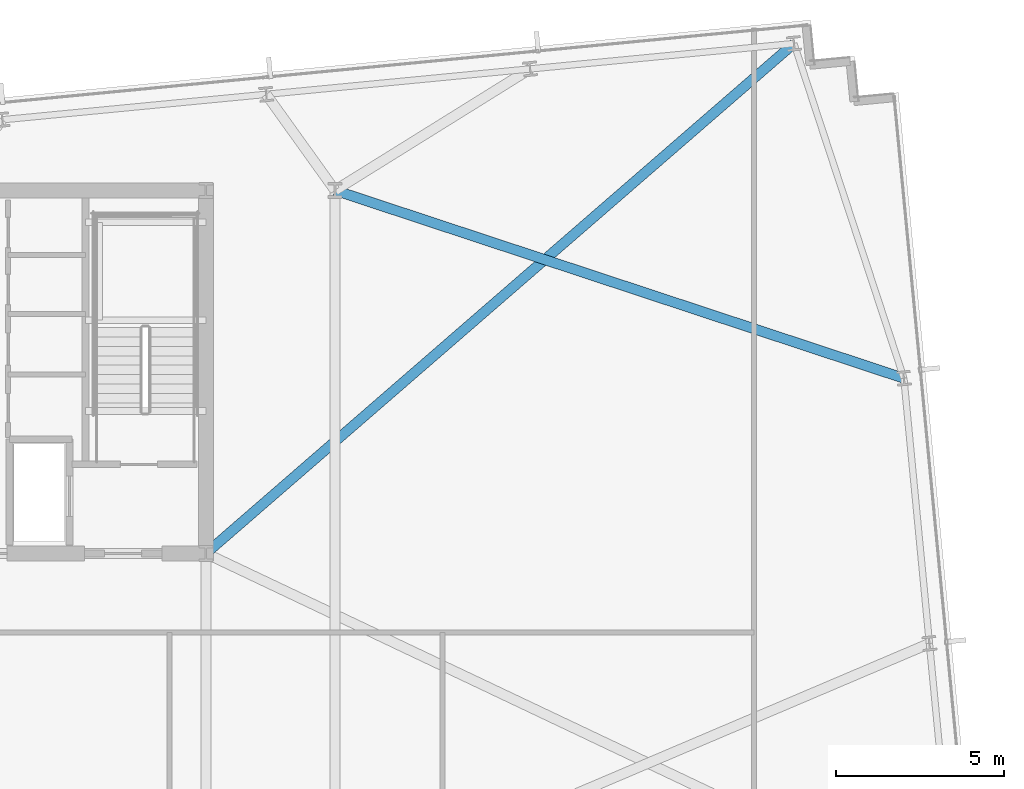
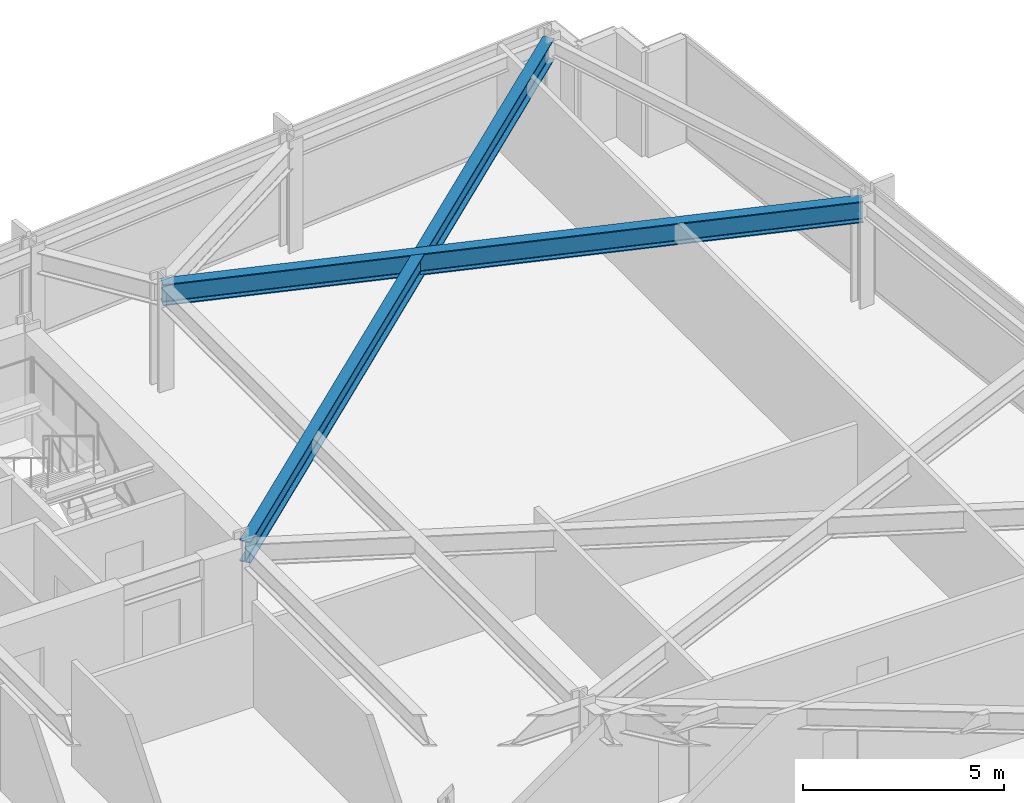
# One storey, part 22 of 32: 2 beams.
"""IFC4 building model written with IfcOpenShell, lengths in metres."""

from ifc_helpers import new_model, si_unit, direction, frame, origin, origin_2d, place, context, subcontext, project, spatial, i_section, extrude, material, material_profile, profile_set, type_object, element, save


model = new_model("IFC4")

# Units and contexts
model_context = context("Model", 3, precision=1e-05, world=origin(), true_north=direction((0.0, 1.0)))
body_context = subcontext(model_context, "Body", "Model", "MODEL_VIEW")
ifc_project = project(units=[si_unit("LENGTHUNIT", "METRE"), si_unit("AREAUNIT", "SQUARE_METRE"), si_unit("VOLUMEUNIT", "CUBIC_METRE"), si_unit("PLANEANGLEUNIT", "RADIAN"), si_unit("MASSUNIT", "GRAM", prefix="KILO")], contexts=[model_context])

# Site, building, storey
site_placement = place(None, origin())
site = spatial("IfcSite", under=ifc_project, at=site_placement, CompositionType="ELEMENT")
building_placement = place(site_placement, origin())
building = spatial("IfcBuilding", under=site, at=building_placement, Name="Yelkora Congress Tower", CompositionType="ELEMENT")
storey_placement = place(building_placement, frame((0.0, 0.0, 103.300048828125)))
storey = spatial("IfcBuildingStorey", under=building, at=storey_placement, Name="L27", CompositionType="ELEMENT", Elevation=103.300048828125)

# Beams
ifc_material = material(Name="Steel S355J2", Category="steel")
ifc_material_profile = material_profile(ifc_material, i_section(OverallWidth=0.300048828125, OverallDepth=0.64990234375, WebThickness=0.01611328125, FlangeThickness=0.031005859375, FilletRadius=0.027099609375, at=origin_2d()), Name="HEB 650")
ifc_profile_set = profile_set([ifc_material_profile], Name="Steel S355J2")
beam_type = type_object("IfcBeamType", Name="BM-GIRD-HEB650", PredefinedType="BEAM", material=ifc_profile_set)
beam_1_placement = place(storey_placement, frame((71.252685546875, 50.568115234375, 2.85498046875), z_axis=(-0.755520317406, -0.655125217029, 0.0), x_axis=(0.655125217029, -0.755520317406, 0.0)))
element("IfcBeam", 1, at=beam_1_placement, inside=storey, type_object=beam_type, Name="L27 Primary Frame Girder N08", PredefinedType="BEAM", context=body_context, shape_type="SweptSolid", body=[
    extrude(i_section(OverallWidth=0.300048828125, OverallDepth=0.64990234375, WebThickness=0.01611328125, FlangeThickness=0.031005859375, FilletRadius=0.027099609375, at=origin_2d()), origin(), (0.0, 0.0, 1.0), 23.153076171875),
])
beam_2_placement = place(storey_placement, frame((74.522216796875, 40.610595703125, 2.85498046875), z_axis=(-0.949544183597, 0.313633294465, 0.0), x_axis=(-0.313633294465, -0.949544183597, 0.0)))
element("IfcBeam", 2, at=beam_2_placement, inside=storey, type_object=beam_type, Name="L27 Primary Frame Girder E03", PredefinedType="BEAM", context=body_context, shape_type="SweptSolid", body=[
    extrude(i_section(OverallWidth=0.300048828125, OverallDepth=0.64990234375, WebThickness=0.01611328125, FlangeThickness=0.031005859375, FilletRadius=0.027099609375, at=origin_2d()), origin(), (0.0, 0.0, 1.0), 17.8212890625),
])

save(model, "model.ifc")
